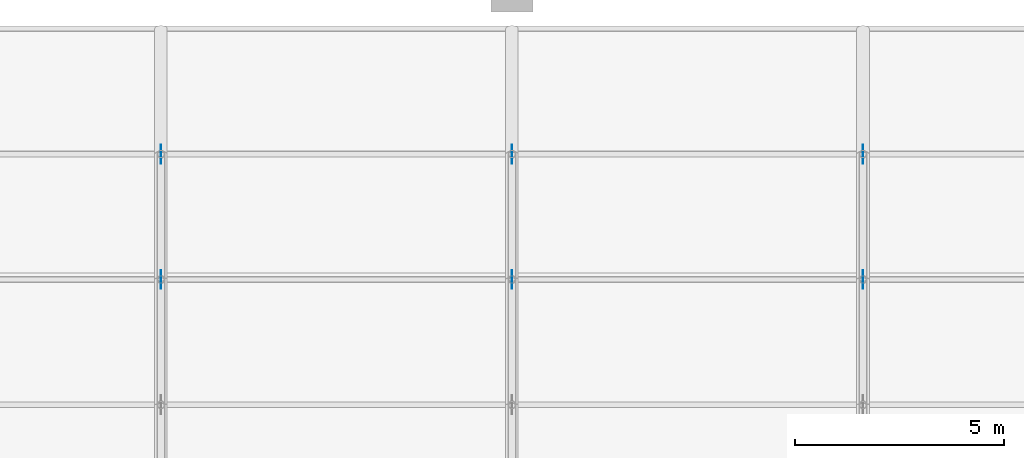
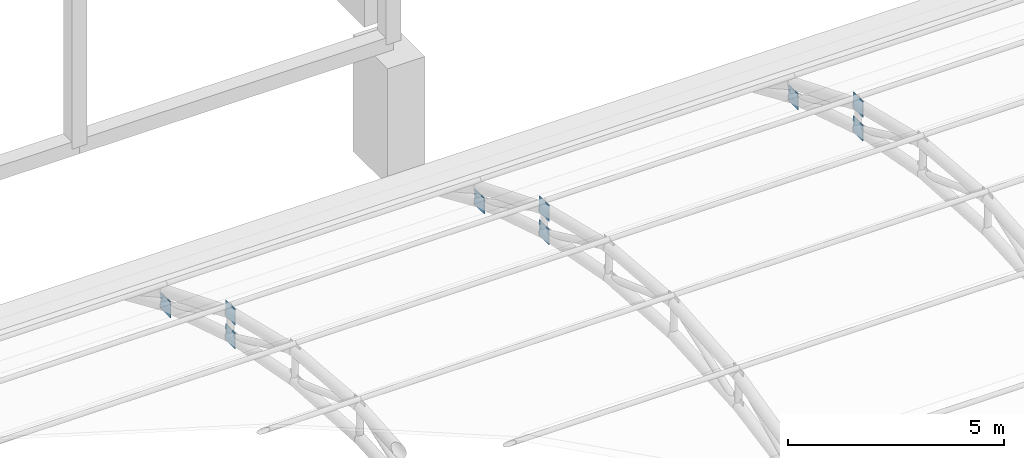
# One storey, part 143 of 163: 9 discrete accessories.
"""IFC4 building model written with IfcOpenShell, lengths in metres."""

from ifc_helpers import new_model, si_unit, direction, frame, origin, origin_2d, place, context, subcontext, project, spatial, rectangle, extrude, material, layer, layer_set, type_object, element, save


model = new_model("IFC4")

# Units and contexts
model_context = context("Model", 3, precision=1e-05, world=origin(), true_north=direction((0.0, 1.0)))
body_context = subcontext(model_context, "Body", "Model", "MODEL_VIEW")
ifc_project = project(units=[si_unit("LENGTHUNIT", "METRE"), si_unit("AREAUNIT", "SQUARE_METRE"), si_unit("VOLUMEUNIT", "CUBIC_METRE"), si_unit("PLANEANGLEUNIT", "RADIAN"), si_unit("MASSUNIT", "GRAM", prefix="KILO")], contexts=[model_context])

# Site, building, storey
site_placement = place(None, origin())
site = spatial("IfcSite", under=ifc_project, at=site_placement, CompositionType="ELEMENT")
building_placement = place(site_placement, origin())
building = spatial("IfcBuilding", under=site, at=building_placement, Name="Rain Tree Exposition and Congress Centre", CompositionType="ELEMENT")
storey_placement = place(building_placement, frame((0.0, 0.0, 10.5)))
storey = spatial("IfcBuildingStorey", under=building, at=storey_placement, Name="L02", CompositionType="ELEMENT", Elevation=10.5)

# Discrete accessories
ifc_material = material(Name="Steel plate S355J2", Category="steel")
ifc_layer = layer(ifc_material, 0.02001953125)
ifc_layer_set = layer_set([ifc_layer], Name="Steel plate S355J2")
discrete_accessory_type = type_object("IfcDiscreteAccessoryType", Name="Brace node plate 450x450x20", PredefinedType="BRACKET", material=ifc_layer_set)
for number, where, z_axis, x_axis, name in (
    (1, (235.199951171875, 93.60009765625, 2.15478515625), (0.0, 0.0, 1.0), (0.0, -1.0, 0.0), "Brace node plate 450"),
    (2, (235.199951171875, 96.60009765625, 1.21728515625), (0.0, 0.0, 1.0), (0.0, -1.0, 0.0), "Brace node plate 450"),
    (3, (235.199951171875, 93.60009765625, 2.830078125), (0.0, 0.0, 1.0), (0.0, 1.0, 0.0), "Brace node plate 450"),
    (4, (243.60009765625, 93.60009765625, 2.15478515625), (0.0, 0.0, 1.0), (0.0, -1.0, 0.0), "Brace node plate 450"),
    (5, (243.60009765625, 96.60009765625, 1.21728515625), (0.0, 0.0, 1.0), (0.0, -1.0, 0.0), "Brace node plate 450"),
    (6, (243.60009765625, 93.60009765625, 2.830078125), (0.0, 0.0, 1.0), (0.0, 1.0, 0.0), "Brace node plate 450"),
    (7, (252.0, 93.60009765625, 2.15478515625), (0.0, 0.0, 1.0), (0.0, -1.0, 0.0), "Brace node plate 450"),
    (8, (252.0, 96.60009765625, 1.21728515625), (0.0, 0.0, 1.0), (0.0, -1.0, 0.0), "Brace node plate 450"),
    (9, (252.0, 93.60009765625, 2.830078125), (0.0, 0.0, 1.0), (0.0, 1.0, 0.0), "Brace node plate 450"),
):
    element("IfcDiscreteAccessory", number, at=place(storey_placement, frame(where, z_axis=z_axis, x_axis=x_axis)), inside=storey, type_object=discrete_accessory_type, Name=name, PredefinedType="BRACKET", context=body_context, shape_type="SweptSolid", body=[
        extrude(rectangle(XDim=0.449951171875, YDim=0.02001953125, at=origin_2d()), origin(), (0.0, 0.0, 1.0), 0.449951171875),
    ])

save(model, "model.ifc")
